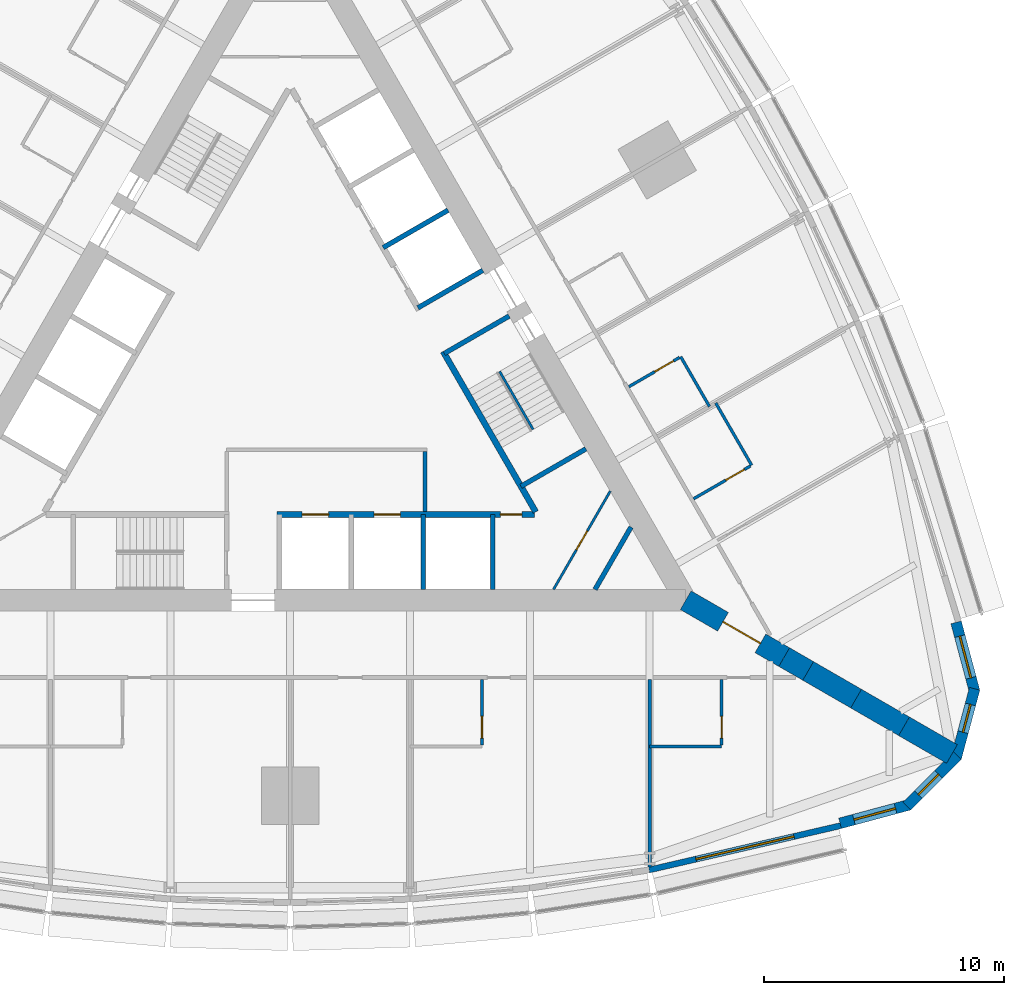
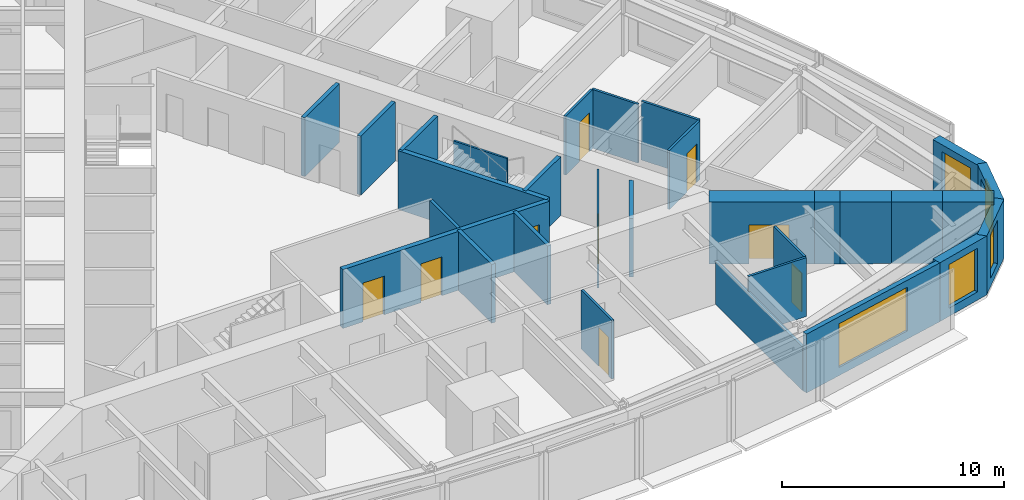
# One storey, part 10 of 14: 30 walls, 9 doors, 5 windows, 14 openings.
"""IFC4 building model written with IfcOpenShell, lengths in metres."""

from ifc_helpers import new_model, si_unit, direction, frame, frame_2d, origin, place, context, subcontext, project, spatial, polyline, rectangle, outline, extrude, material, layer, layer_set, type_object, element, fill, save


model = new_model("IFC4")

# Units and contexts
model_context = context("Model", 3, precision=1e-05, world=origin(), true_north=direction((0.0, 1.0)))
body_context = subcontext(model_context, "Body", "Model", "MODEL_VIEW")
ifc_project = project(units=[si_unit("LENGTHUNIT", "METRE"), si_unit("AREAUNIT", "SQUARE_METRE"), si_unit("VOLUMEUNIT", "CUBIC_METRE"), si_unit("PLANEANGLEUNIT", "RADIAN"), si_unit("MASSUNIT", "GRAM", prefix="KILO")], contexts=[model_context])

# Site, building, storey
site_placement = place(None, origin())
site = spatial("IfcSite", under=ifc_project, at=site_placement, CompositionType="ELEMENT")
building_placement = place(site_placement, origin())
building = spatial("IfcBuilding", under=site, at=building_placement, Name="Trikona Tower", CompositionType="ELEMENT")
storey_placement = place(building_placement, frame((0.0, 0.0, 48.89990234375)))
storey = spatial("IfcBuildingStorey", under=building, at=storey_placement, Name="L11", CompositionType="ELEMENT", Elevation=48.89990234375)

# Wall, opening, door
ifc_material_1 = material(Name="Metal stud and cement board", Category="gypsum")
ifc_layer_1 = layer(ifc_material_1, 0.1201171875)
ifc_layer_set_1 = layer_set([ifc_layer_1], Name="Bathroom wall 120")
wall_type_1 = type_object("IfcWallType", Name="Bathroom wall 120", PredefinedType="PLUMBINGWALL", material=ifc_layer_set_1)
wall_1_placement = place(storey_placement, frame((8.0, -12.826416015625, 0.0), z_axis=(0.0, 0.0, 1.0), x_axis=(0.0, -1.0, 0.0)))
wall_1 = element("IfcWall", 1, at=wall_1_placement, inside=storey, type_object=wall_type_1, Name="Bathroom wall 1103", PredefinedType="PLUMBINGWALL", context=body_context, shape_type="SweptSolid", body=[
    extrude(rectangle(XDim=2.739990234375, YDim=0.1201171875, at=frame_2d((1.3701171875, 0.0))), origin(), (0.0, 0.0, 1.0), 3.235107421875),
])
opening_1_placement = place(wall_1_placement, frame((1.550048828125, 0.0, 0.0)))
opening_1 = element("IfcOpeningElement", 2, at=opening_1_placement, cuts=wall_1, Name="Opening D2", PredefinedType="OPENING", context=body_context, shape_type="SweptSolid", body=[
    extrude(rectangle(XDim=0.89990234375, YDim=2.1298828125, at=frame_2d((0.449951171875, 1.06494140625))), frame((0.0, 0.070068359375, 0.0), z_axis=(0.0, -1.0, 0.0), x_axis=(1.0, 0.0, 0.0)), (0.0, 0.0, 1.0), 0.14013671875),
])
ifc_material_2 = material(Name="Steel door frame with solid-core timber leaf", Category="steel")
door_type_1 = type_object("IfcDoorType", Name="Bathroom door 900x2130", OperationType="SLIDING_TO_LEFT", PredefinedType="DOOR", material=ifc_material_2)
door_1_placement = place(opening_1_placement, origin())
door_1 = element("IfcDoor", 3, at=door_1_placement, inside=storey, type_object=door_type_1, Name="Bathroom door 1103", OperationType="SLIDING_TO_LEFT", OverallHeight=2.1298828125, OverallWidth=0.89990234375, PredefinedType="DOOR", context=body_context, shape_type="SweptSolid", body=[
    extrude(rectangle(XDim=0.89990234375, YDim=2.1298828125, at=frame_2d((0.449951171875, 1.06494140625))), frame((0.0, 0.02490234375, 0.0), z_axis=(0.0, -1.0, 0.0), x_axis=(1.0, 0.0, 0.0)), (0.0, 0.0, 1.0), 0.050048828125),
])
fill(opening_1, door_1)

# Wall
wall_2_placement = place(storey_placement, frame((15.0, -15.626220703125, 0.0), z_axis=(0.0, 0.0, 1.0), x_axis=(1.0, 0.0, 0.0)))
element("IfcWall", 4, at=wall_2_placement, inside=storey, type_object=wall_type_1, Name="Bathroom wall 1104", PredefinedType="PLUMBINGWALL", context=body_context, shape_type="SweptSolid", body=[
    extrude(rectangle(XDim=3.0, YDim=0.1201171875, at=frame_2d((1.5, 0.0))), origin(), (0.0, 0.0, 1.0), 3.235107421875),
])

# Wall, opening, door
wall_3_placement = place(storey_placement, frame((18.0, -12.826416015625, 0.0), z_axis=(0.0, 0.0, 1.0), x_axis=(0.0, -1.0, 0.0)))
wall_3 = element("IfcWall", 5, at=wall_3_placement, inside=storey, type_object=wall_type_1, Name="Bathroom wall 1104", PredefinedType="PLUMBINGWALL", context=body_context, shape_type="SweptSolid", body=[
    extrude(rectangle(XDim=2.739990234375, YDim=0.1201171875, at=frame_2d((1.3701171875, 0.0))), origin(), (0.0, 0.0, 1.0), 3.235107421875),
])
opening_2_placement = place(wall_3_placement, frame((1.550048828125, 0.0, 0.0)))
opening_2 = element("IfcOpeningElement", 6, at=opening_2_placement, cuts=wall_3, Name="Opening D2", PredefinedType="OPENING", context=body_context, shape_type="SweptSolid", body=[
    extrude(rectangle(XDim=0.89990234375, YDim=2.1298828125, at=frame_2d((0.449951171875, 1.06494140625))), frame((0.0, 0.070068359375, 0.0), z_axis=(0.0, -1.0, 0.0), x_axis=(1.0, 0.0, 0.0)), (0.0, 0.0, 1.0), 0.14013671875),
])
door_2_placement = place(opening_2_placement, origin())
door_2 = element("IfcDoor", 7, at=door_2_placement, inside=storey, type_object=door_type_1, Name="Bathroom door 1104", OperationType="SLIDING_TO_LEFT", OverallHeight=2.1298828125, OverallWidth=0.89990234375, PredefinedType="DOOR", context=body_context, shape_type="SweptSolid", body=[
    extrude(rectangle(XDim=0.89990234375, YDim=2.1298828125, at=frame_2d((0.449951171875, 1.06494140625))), frame((0.0, 0.02490234375, 0.0), z_axis=(0.0, -1.0, 0.0), x_axis=(1.0, 0.0, 0.0)), (0.0, 0.0, 1.0), 0.050048828125),
])
fill(opening_2, door_2)

# Wall
wall_4_placement = place(storey_placement, frame((19.25341796875, -3.895263671875, 0.0), z_axis=(0.0, 0.0, 1.0), x_axis=(-0.499990139034, 0.866031096941, 0.0)))
element("IfcWall", 8, at=wall_4_placement, inside=storey, type_object=wall_type_1, Name="Bathroom wall 1105.1", PredefinedType="PLUMBINGWALL", context=body_context, shape_type="SweptSolid", body=[
    extrude(rectangle(XDim=3.0, YDim=0.1201171875, at=frame_2d((1.5, 0.0))), origin(), (0.0, 0.0, 1.0), 3.235107421875),
])

# Wall, opening, door
wall_5_placement = place(storey_placement, frame((16.82861328125, -5.295166015625, 0.0), z_axis=(0.0, 0.0, 1.0), x_axis=(0.866035715982, 0.499982138324, 0.0)))
wall_5 = element("IfcWall", 9, at=wall_5_placement, inside=storey, type_object=wall_type_1, Name="Bathroom wall 1105.1", PredefinedType="PLUMBINGWALL", context=body_context, shape_type="SweptSolid", body=[
    extrude(rectangle(XDim=2.73974609375, YDim=0.1201171875, at=frame_2d((1.369873046875, 0.0))), origin(), (0.0, 0.0, 1.0), 3.235107421875),
])
opening_3_placement = place(wall_5_placement, frame((1.550048828125, 0.0, 0.0)))
opening_3 = element("IfcOpeningElement", 10, at=opening_3_placement, cuts=wall_5, Name="Opening D2", PredefinedType="OPENING", context=body_context, shape_type="SweptSolid", body=[
    extrude(rectangle(XDim=0.89990234375, YDim=2.1298828125, at=frame_2d((0.449951171875, 1.06494140625))), frame((0.0, 0.070068359375, 0.0), z_axis=(0.0, -1.0, 0.0), x_axis=(1.0, 0.0, 0.0)), (0.0, 0.0, 1.0), 0.14013671875),
])
door_3_placement = place(opening_3_placement, origin())
door_3 = element("IfcDoor", 11, at=door_3_placement, inside=storey, type_object=door_type_1, Name="Bathroom door 1105.1", OperationType="SLIDING_TO_LEFT", OverallHeight=2.1298828125, OverallWidth=0.89990234375, PredefinedType="DOOR", context=body_context, shape_type="SweptSolid", body=[
    extrude(rectangle(XDim=0.89990234375, YDim=2.1298828125, at=frame_2d((0.449951171875, 1.06494140625))), frame((0.0, 0.02490234375, 0.0), z_axis=(0.0, -1.0, 0.0), x_axis=(1.0, 0.0, 0.0)), (0.0, 0.0, 1.0), 0.050048828125),
])
fill(opening_3, door_3)

# Wall
wall_6_placement = place(storey_placement, frame((17.493408203125, -1.447021484375, 0.0), z_axis=(0.0, 0.0, 1.0), x_axis=(-0.500001309137, 0.866024647952, 0.0)))
element("IfcWall", 12, at=wall_6_placement, inside=storey, type_object=wall_type_1, Name="Bathroom wall 1106", PredefinedType="PLUMBINGWALL", context=body_context, shape_type="SweptSolid", body=[
    extrude(rectangle(XDim=2.39990234375, YDim=0.1201171875, at=frame_2d((1.199951171875, 0.0))), origin(), (0.0, 0.0, 1.0), 3.235107421875),
])

# Wall, opening, door
wall_7_placement = place(storey_placement, frame((14.12841796875, -0.61865234375, 0.0), z_axis=(0.0, 0.0, 1.0), x_axis=(0.866048967903, 0.499959183527, 0.0)))
wall_7 = element("IfcWall", 13, at=wall_7_placement, inside=storey, type_object=wall_type_1, Name="Bathroom wall 1106", PredefinedType="PLUMBINGWALL", context=body_context, shape_type="SweptSolid", body=[
    extrude(rectangle(XDim=2.440185546875, YDim=0.1201171875, at=frame_2d((1.22021484375, 0.0))), origin(), (0.0, 0.0, 1.0), 3.235107421875),
])
opening_4_placement = place(wall_7_placement, frame((1.25, 0.0, 0.0)))
opening_4 = element("IfcOpeningElement", 14, at=opening_4_placement, cuts=wall_7, Name="Opening D2", PredefinedType="OPENING", context=body_context, shape_type="SweptSolid", body=[
    extrude(rectangle(XDim=0.89990234375, YDim=2.1298828125, at=frame_2d((0.449951171875, 1.06494140625))), frame((0.0, 0.070068359375, 0.0), z_axis=(0.0, -1.0, 0.0), x_axis=(1.0, 0.0, 0.0)), (0.0, 0.0, 1.0), 0.14013671875),
])
door_4_placement = place(opening_4_placement, origin())
door_4 = element("IfcDoor", 15, at=door_4_placement, inside=storey, type_object=door_type_1, Name="Bathroom door 1106", OperationType="SLIDING_TO_LEFT", OverallHeight=2.1298828125, OverallWidth=0.89990234375, PredefinedType="DOOR", context=body_context, shape_type="SweptSolid", body=[
    extrude(rectangle(XDim=0.89990234375, YDim=2.1298828125, at=frame_2d((0.449951171875, 1.06494140625))), frame((0.0, 0.02490234375, 0.0), z_axis=(0.0, -1.0, 0.0), x_axis=(1.0, 0.0, 0.0)), (0.0, 0.0, 1.0), 0.050048828125),
])
fill(opening_4, door_4)

# Wall, opening, window
ifc_material_3 = material(Name="Brick-faced precast concrete", Category="masonry")
ifc_layer_2 = layer(ifc_material_3, 0.449951171875)
ifc_layer_set_2 = layer_set([ifc_layer_2], Name="Brick-faced corner wall 450")
wall_type_2 = type_object("IfcWallType", Name="Brick-faced corner wall 450", PredefinedType="SOLIDWALL", material=ifc_layer_set_2)
wall_8_placement = place(storey_placement, frame((22.94189453125, -18.835205078125, 0.0), z_axis=(0.0, 0.0, 1.0), x_axis=(0.965930548995, 0.258801419081, 0.0)))
wall_8 = element("IfcWall", 16, at=wall_8_placement, inside=storey, type_object=wall_type_2, Name="External wall L11-08", PredefinedType="SOLIDWALL", context=body_context, shape_type="SweptSolid", body=[
    extrude(rectangle(XDim=2.988525390625, YDim=0.449951171875, at=frame_2d((1.494140625, 0.0))), origin(), (0.0, 0.0, 1.0), 3.235107421875),
])
opening_5_placement = place(wall_8_placement, frame((0.59423828125, 0.0, 0.449951171875)))
opening_5 = element("IfcOpeningElement", 17, at=opening_5_placement, cuts=wall_8, Name="Opening W1824", PredefinedType="OPENING", context=body_context, shape_type="SweptSolid", body=[
    extrude(rectangle(XDim=1.800048828125, YDim=2.39990234375, at=frame_2d((0.89990234375, 1.199951171875))), frame((0.0, 0.23486328125, 0.0), z_axis=(0.0, -1.0, 0.0), x_axis=(1.0, 0.0, 0.0)), (0.0, 0.0, 1.0), 0.469970703125),
])
ifc_material_4 = material(Name="Aluminium-framed double glazing", Category="aluminium")
window_type_1 = type_object("IfcWindowType", Name="Window 1800x2400", PartitioningType="SINGLE_PANEL", PredefinedType="WINDOW", material=ifc_material_4)
window_1_placement = place(opening_5_placement, origin())
window_1 = element("IfcWindow", 18, at=window_1_placement, inside=storey, type_object=window_type_1, Name="Window 1104", OverallHeight=2.39990234375, OverallWidth=1.800048828125, PartitioningType="SINGLE_PANEL", PredefinedType="WINDOW", context=body_context, shape_type="SweptSolid", body=[
    extrude(rectangle(XDim=1.800048828125, YDim=2.39990234375, at=frame_2d((0.89990234375, 1.199951171875))), frame((0.0, 0.030029296875, 0.0), z_axis=(0.0, -1.0, 0.0), x_axis=(1.0, 0.0, 0.0)), (0.0, 0.0, 1.0), 0.06005859375),
])
fill(opening_5, window_1)

wall_9_placement = place(storey_placement, frame((25.727783203125, -18.1201171875, 0.0), z_axis=(0.0, 0.0, 1.0), x_axis=(0.707025086683, 0.707188466253, 0.0)))
wall_9 = element("IfcWall", 19, at=wall_9_placement, inside=storey, type_object=wall_type_2, Name="External wall L11-09", PredefinedType="SOLIDWALL", context=body_context, shape_type="SweptSolid", body=[
    extrude(outline(polyline([(2.988525390625, 0.22509765625), (2.929931640625, 0.22509765625), (2.4375, 0.093017578125), (2.402099609375, 0.22509765625), (0.0, 0.22509765625), (0.0, -0.22509765625), (2.988525390625, -0.22509765625), (2.988525390625, 0.22509765625)])), origin(), (0.0, 0.0, 1.0), 3.235107421875),
])
opening_6_placement = place(wall_9_placement, frame((0.676025390625, 0.0, 0.449951171875)))
opening_6 = element("IfcOpeningElement", 20, at=opening_6_placement, cuts=wall_9, Name="Opening W1224", PredefinedType="OPENING", context=body_context, shape_type="SweptSolid", body=[
    extrude(rectangle(XDim=1.199951171875, YDim=2.39990234375, at=frame_2d((0.60009765625, 1.199951171875))), frame((0.0, 0.23486328125, 0.0), z_axis=(0.0, -1.0, 0.0), x_axis=(1.0, 0.0, 0.0)), (0.0, 0.0, 1.0), 0.469970703125),
])
ifc_material_5 = material(Name="Aluminium-framed double glazing", Category="aluminium")
window_type_2 = type_object("IfcWindowType", Name="Window 1200x2400", PartitioningType="SINGLE_PANEL", PredefinedType="WINDOW", material=ifc_material_5)
window_2_placement = place(opening_6_placement, origin())
window_2 = element("IfcWindow", 21, at=window_2_placement, inside=storey, type_object=window_type_2, Name="Window 1104", OverallHeight=2.39990234375, OverallWidth=1.199951171875, PartitioningType="SINGLE_PANEL", PredefinedType="WINDOW", context=body_context, shape_type="SweptSolid", body=[
    extrude(rectangle(XDim=1.199951171875, YDim=2.39990234375, at=frame_2d((0.60009765625, 1.199951171875))), frame((0.0, 0.030029296875, 0.0), z_axis=(0.0, -1.0, 0.0), x_axis=(1.0, 0.0, 0.0)), (0.0, 0.0, 1.0), 0.06005859375),
])
fill(opening_6, window_2)

wall_10_placement = place(storey_placement, frame((27.78271484375, -16.107666015625, 0.0), z_axis=(0.0, 0.0, 1.0), x_axis=(0.258801419081, 0.965930548995, 0.0)))
wall_10 = element("IfcWall", 22, at=wall_10_placement, inside=storey, type_object=wall_type_2, Name="External wall L11-10", PredefinedType="SOLIDWALL", context=body_context, shape_type="SweptSolid", body=[
    extrude(outline(polyline([(2.988525390625, 0.22509765625), (0.58642578125, 0.22509765625), (0.55126953125, 0.09326171875), (0.0595703125, 0.22509765625), (0.0, 0.22509765625), (0.0, -0.22509765625), (2.988525390625, -0.22509765625), (2.988525390625, 0.22509765625)])), origin(), (0.0, 0.0, 1.0), 3.235107421875),
])
opening_7_placement = place(wall_10_placement, frame((1.112548828125, 0.0, 0.449951171875)))
opening_7 = element("IfcOpeningElement", 23, at=opening_7_placement, cuts=wall_10, Name="Opening W1224", PredefinedType="OPENING", context=body_context, shape_type="SweptSolid", body=[
    extrude(rectangle(XDim=1.199951171875, YDim=2.39990234375, at=frame_2d((0.60009765625, 1.199951171875))), frame((0.0, 0.23486328125, 0.0), z_axis=(0.0, -1.0, 0.0), x_axis=(1.0, 0.0, 0.0)), (0.0, 0.0, 1.0), 0.469970703125),
])
window_3_placement = place(opening_7_placement, origin())
window_3 = element("IfcWindow", 24, at=window_3_placement, inside=storey, type_object=window_type_2, Name="Window 1105", OverallHeight=2.39990234375, OverallWidth=1.199951171875, PartitioningType="SINGLE_PANEL", PredefinedType="WINDOW", context=body_context, shape_type="SweptSolid", body=[
    extrude(rectangle(XDim=1.199951171875, YDim=2.39990234375, at=frame_2d((0.60009765625, 1.199951171875))), frame((0.0, 0.030029296875, 0.0), z_axis=(0.0, -1.0, 0.0), x_axis=(1.0, 0.0, 0.0)), (0.0, 0.0, 1.0), 0.06005859375),
])
fill(opening_7, window_3)

wall_11_placement = place(storey_placement, frame((28.55615234375, -13.33740234375, 0.0), z_axis=(0.0, 0.0, 1.0), x_axis=(-0.258780998834, 0.965936019953, 0.0)))
wall_11 = element("IfcWall", 25, at=wall_11_placement, inside=storey, type_object=wall_type_2, Name="External wall L11-11", PredefinedType="SOLIDWALL", context=body_context, shape_type="SweptSolid", body=[
    extrude(rectangle(XDim=2.98876953125, YDim=0.449951171875, at=frame_2d((1.494384765625, 0.0))), origin(), (0.0, 0.0, 1.0), 3.235107421875),
])
opening_8_placement = place(wall_11_placement, frame((0.59423828125, 0.0, 0.449951171875)))
opening_8 = element("IfcOpeningElement", 26, at=opening_8_placement, cuts=wall_11, Name="Opening W1824", PredefinedType="OPENING", context=body_context, shape_type="SweptSolid", body=[
    extrude(rectangle(XDim=1.800048828125, YDim=2.39990234375, at=frame_2d((0.89990234375, 1.199951171875))), frame((0.0, 0.23486328125, 0.0), z_axis=(0.0, -1.0, 0.0), x_axis=(1.0, 0.0, 0.0)), (0.0, 0.0, 1.0), 0.469970703125),
])
window_4_placement = place(opening_8_placement, origin())
window_4 = element("IfcWindow", 27, at=window_4_placement, inside=storey, type_object=window_type_1, Name="Window 1105", OverallHeight=2.39990234375, OverallWidth=1.800048828125, PartitioningType="SINGLE_PANEL", PredefinedType="WINDOW", context=body_context, shape_type="SweptSolid", body=[
    extrude(rectangle(XDim=1.800048828125, YDim=2.39990234375, at=frame_2d((0.89990234375, 1.199951171875))), frame((0.0, 0.030029296875, 0.0), z_axis=(0.0, -1.0, 0.0), x_axis=(1.0, 0.0, 0.0)), (0.0, 0.0, 1.0), 0.06005859375),
])
fill(opening_8, window_4)

# Wall, opening, door
ifc_material_6 = material(Name="Concrete f'c 10000 psi", Category="concrete")
ifc_layer_3 = layer(ifc_material_6, 0.89990234375)
ifc_layer_set_3 = layer_set([ifc_layer_3], Name="Buttress wall 900")
wall_type_3 = type_object("IfcWallType", Name="Buttress wall 900", PredefinedType="SHEAR", material=ifc_layer_set_3)
wall_12_placement = place(storey_placement, frame((16.5, -9.5263671875, 0.0), z_axis=(0.0, 0.0, 1.0), x_axis=(0.866031398331, -0.499989616998, 0.0)))
wall_12 = element("IfcWall", 28, at=wall_12_placement, inside=storey, type_object=wall_type_3, Name="Buttress wall 1", PredefinedType="SHEAR", context=body_context, shape_type="SweptSolid", body=[
    extrude(rectangle(XDim=4.74609375, YDim=0.89990234375, at=frame_2d((2.373046875, 0.0))), origin(), (0.0, 0.0, 1.0), 3.400146484375),
])
opening_9_placement = place(wall_12_placement, frame((1.800048828125, 0.0, 0.0)))
opening_9 = element("IfcOpeningElement", 29, at=opening_9_placement, cuts=wall_12, Name="Opening D10", PredefinedType="OPENING", context=body_context, shape_type="SweptSolid", body=[
    extrude(rectangle(XDim=1.800048828125, YDim=2.1298828125, at=frame_2d((0.89990234375, 1.06494140625))), frame((0.0, 0.4599609375, 0.0), z_axis=(0.0, -1.0, 0.0), x_axis=(1.0, 0.0, 0.0)), (0.0, 0.0, 1.0), 0.919921875),
])
ifc_material_7 = material(Name="Hollow metal door and frame", Category="steel")
door_type_2 = type_object("IfcDoorType", Name="Cross-corridor door pair 1800x2130", OperationType="DOUBLE_DOOR_DOUBLE_SWING", PredefinedType="DOOR", material=ifc_material_7)
door_5_placement = place(opening_9_placement, origin())
door_5 = element("IfcDoor", 30, at=door_5_placement, inside=storey, type_object=door_type_2, Name="Cross-corridor door 1", OperationType="DOUBLE_DOOR_DOUBLE_SWING", OverallHeight=2.1298828125, OverallWidth=1.800048828125, PredefinedType="DOOR", context=body_context, shape_type="SweptSolid", body=[
    extrude(rectangle(XDim=1.800048828125, YDim=2.1298828125, at=frame_2d((0.89990234375, 1.06494140625))), frame((0.0, 0.02490234375, 0.0), z_axis=(0.0, -1.0, 0.0), x_axis=(1.0, 0.0, 0.0)), (0.0, 0.0, 1.0), 0.050048828125),
])
fill(opening_9, door_5)

# Walls
wall_13_placement = place(storey_placement, frame((20.6103515625, -11.8994140625, 0.0), z_axis=(0.0, 0.0, 1.0), x_axis=(0.866009537788, -0.500027479704, 0.0)))
element("IfcWall", 31, at=wall_13_placement, inside=storey, type_object=wall_type_3, Name="Buttress wall 1 part 2", PredefinedType="SHEAR", context=body_context, shape_type="SweptSolid", body=[
    extrude(rectangle(XDim=1.15478515625, YDim=0.89990234375, at=frame_2d((0.577392578125, 0.0))), origin(), (0.0, 0.0, 1.0), 3.400146484375),
])
for number, where, z_axis, x_axis, name in (
    (32, (21.6103515625, -12.476806640625, 0.0), (0.0, 0.0, 1.0), (0.866055313784, -0.499948190782, 0.0), "Buttress wall 1 part 3"),
    (33, (23.6103515625, -13.63134765625, 0.0), (0.0, 0.0, 1.0), (0.866009537788, -0.500027479704, 0.0), "Buttress wall 1 part 4"),
    (34, (25.6103515625, -14.7861328125, 0.0), (0.0, 0.0, 1.0), (0.866009537788, -0.500027479704, 0.0), "Buttress wall 1 part 5"),
):
    element("IfcWall", number, at=place(storey_placement, frame(where, z_axis=z_axis, x_axis=x_axis)), inside=storey, type_object=wall_type_3, Name=name, PredefinedType="SHEAR", context=body_context, shape_type="SweptSolid", body=[
        extrude(rectangle(XDim=2.309326171875, YDim=0.89990234375, at=frame_2d((1.15478515625, 0.0))), origin(), (0.0, 0.0, 1.0), 3.400146484375),
    ])

# Wall, openings, doors
ifc_material_8 = material(Name="Concrete f'c 8000 psi", Category="concrete")
ifc_layer_4 = layer(ifc_material_8, 0.25)
ifc_layer_set_4 = layer_set([ifc_layer_4], Name="Hub wall 250")
wall_type_4 = type_object("IfcWallType", Name="Hub wall 250", PredefinedType="SOLIDWALL", material=ifc_layer_set_4)
wall_14_placement = place(storey_placement, frame((-0.550048828125, -5.951416015625, 0.0), z_axis=(0.0, 0.0, 1.0), x_axis=(1.0, 0.0, 0.0)))
wall_14 = element("IfcWall", 35, at=wall_14_placement, inside=storey, type_object=wall_type_4, Name="Lift lobby wall A2", PredefinedType="SOLIDWALL", context=body_context, shape_type="SweptSolid", body=[
    extrude(rectangle(XDim=10.73291015625, YDim=0.25, at=frame_2d((5.366455078125, 0.0))), origin(), (0.0, 0.0, 1.0), 3.235107421875),
])
opening_10_placement = place(wall_14_placement, frame((9.31396484375, 0.0, 0.0)))
opening_10 = element("IfcOpeningElement", 36, at=opening_10_placement, cuts=wall_14, Name="Opening D14", PredefinedType="OPENING", context=body_context, shape_type="SweptSolid", body=[
    extrude(rectangle(XDim=0.89990234375, YDim=2.1298828125, at=frame_2d((0.449951171875, 1.06494140625))), frame((0.0, 0.135009765625, 0.0), z_axis=(0.0, -1.0, 0.0), x_axis=(1.0, 0.0, 0.0)), (0.0, 0.0, 1.0), 0.27001953125),
])
opening_11_placement = place(wall_14_placement, frame((1.050048828125, 0.0, 0.0)))
opening_11 = element("IfcOpeningElement", 37, at=opening_11_placement, cuts=wall_14, Name="Opening LD", PredefinedType="OPENING", context=body_context, shape_type="SweptSolid", body=[
    extrude(rectangle(XDim=1.10009765625, YDim=2.1298828125, at=frame_2d((0.550048828125, 1.06494140625))), frame((0.0, 0.135009765625, 0.0), z_axis=(0.0, -1.0, 0.0), x_axis=(1.0, 0.0, 0.0)), (0.0, 0.0, 1.0), 0.27001953125),
])
opening_12_placement = place(wall_14_placement, frame((4.050048828125, 0.0, 0.0)))
opening_12 = element("IfcOpeningElement", 38, at=opening_12_placement, cuts=wall_14, Name="Opening LD", PredefinedType="OPENING", context=body_context, shape_type="SweptSolid", body=[
    extrude(rectangle(XDim=1.10009765625, YDim=2.1298828125, at=frame_2d((0.550048828125, 1.06494140625))), frame((0.0, 0.135009765625, 0.0), z_axis=(0.0, -1.0, 0.0), x_axis=(1.0, 0.0, 0.0)), (0.0, 0.0, 1.0), 0.27001953125),
])
ifc_material_9 = material(Name="Stainless steel lift landing door", Category="steel")
door_type_3 = type_object("IfcDoorType", Name="Lift landing door 1100x2130", OperationType="DOUBLE_DOOR_SLIDING", PredefinedType="USERDEFINED", material=ifc_material_9)
door_6_placement = place(opening_11_placement, origin())
door_6 = element("IfcDoor", 39, at=door_6_placement, inside=storey, type_object=door_type_3, Name="Lift landing door FF1", ObjectType="LIFT LANDING DOOR", OperationType="DOUBLE_DOOR_SLIDING", OverallHeight=2.1298828125, OverallWidth=1.10009765625, PredefinedType="USERDEFINED", context=body_context, shape_type="SweptSolid", body=[
    extrude(rectangle(XDim=1.10009765625, YDim=2.1298828125, at=frame_2d((0.550048828125, 1.06494140625))), frame((0.0, 0.02490234375, 0.0), z_axis=(0.0, -1.0, 0.0), x_axis=(1.0, 0.0, 0.0)), (0.0, 0.0, 1.0), 0.050048828125),
])
fill(opening_11, door_6)
door_7_placement = place(opening_12_placement, origin())
door_7 = element("IfcDoor", 40, at=door_7_placement, inside=storey, type_object=door_type_3, Name="Lift landing door FF2", ObjectType="LIFT LANDING DOOR", OperationType="DOUBLE_DOOR_SLIDING", OverallHeight=2.1298828125, OverallWidth=1.10009765625, PredefinedType="USERDEFINED", context=body_context, shape_type="SweptSolid", body=[
    extrude(rectangle(XDim=1.10009765625, YDim=2.1298828125, at=frame_2d((0.550048828125, 1.06494140625))), frame((0.0, 0.02490234375, 0.0), z_axis=(0.0, -1.0, 0.0), x_axis=(1.0, 0.0, 0.0)), (0.0, 0.0, 1.0), 0.050048828125),
])
fill(opening_12, door_7)
ifc_material_10 = material(Name="Hollow metal door and frame", Category="steel")
door_type_4 = type_object("IfcDoorType", Name="Service room door 900x2130", OperationType="SINGLE_SWING_LEFT", PredefinedType="DOOR", material=ifc_material_10)
door_8_placement = place(opening_10_placement, origin())
door_8 = element("IfcDoor", 41, at=door_8_placement, inside=storey, type_object=door_type_4, Name="Door Ice and vending ICE", OperationType="SINGLE_SWING_RIGHT", OverallHeight=2.1298828125, OverallWidth=0.89990234375, PredefinedType="DOOR", context=body_context, shape_type="SweptSolid", body=[
    extrude(rectangle(XDim=0.89990234375, YDim=2.1298828125, at=frame_2d((0.449951171875, 1.06494140625))), frame((0.0, 0.02490234375, 0.0), z_axis=(0.0, -1.0, 0.0), x_axis=(1.0, 0.0, 0.0)), (0.0, 0.0, 1.0), 0.050048828125),
])
fill(opening_10, door_8)

# Wall
wall_15_placement = place(storey_placement, frame((10.245361328125, -5.843017578125, 0.0), z_axis=(0.0, 0.0, 1.0), x_axis=(-0.499993009313, 0.866029439822, 0.0)))
element("IfcWall", 42, at=wall_15_placement, inside=storey, type_object=wall_type_4, Name="Lift lobby wall B1", PredefinedType="SOLIDWALL", context=body_context, shape_type="SweptSolid", body=[
    extrude(rectangle(XDim=7.73291015625, YDim=0.25, at=frame_2d((3.866455078125, 0.0))), origin(), (0.0, 0.0, 1.0), 3.235107421875),
])

# Wall, opening, window
ifc_material_11 = material(Name="Insulated precast concrete spandrel panel", Category="concrete")
ifc_layer_5 = layer(ifc_material_11, 0.25)
ifc_layer_set_5 = layer_set([ifc_layer_5], Name="Inner skin wall 250")
wall_type_5 = type_object("IfcWallType", Name="Inner skin wall 250", PredefinedType="STANDARD", material=ifc_layer_set_5)
wall_16_placement = place(storey_placement, frame((14.9716796875, -20.78125, 0.0), z_axis=(0.0, 0.0, 1.0), x_axis=(0.974279327392, 0.225343720163, 0.0)))
wall_16 = element("IfcWall", 43, at=wall_16_placement, inside=storey, type_object=wall_type_5, Name="External wall L11-07", PredefinedType="STANDARD", context=body_context, shape_type="SweptSolid", body=[
    extrude(rectangle(XDim=8.211181640625, YDim=0.25, at=frame_2d((4.10546875, 0.0))), origin(), (0.0, 0.0, 1.0), 3.235107421875),
])
opening_13_placement = place(wall_16_placement, frame((2.005615234375, 0.0, 0.449951171875)))
opening_13 = element("IfcOpeningElement", 44, at=opening_13_placement, cuts=wall_16, Name="Opening W4224", PredefinedType="OPENING", context=body_context, shape_type="SweptSolid", body=[
    extrude(rectangle(XDim=4.199951171875, YDim=2.39990234375, at=frame_2d((2.10009765625, 1.199951171875))), frame((0.0, 0.135009765625, 0.0), z_axis=(0.0, -1.0, 0.0), x_axis=(1.0, 0.0, 0.0)), (0.0, 0.0, 1.0), 0.27001953125),
])
ifc_material_12 = material(Name="Aluminium-framed double glazing", Category="aluminium")
window_type_3 = type_object("IfcWindowType", Name="Window 4200x2400", PartitioningType="SINGLE_PANEL", PredefinedType="WINDOW", material=ifc_material_12)
window_5_placement = place(opening_13_placement, origin())
window_5 = element("IfcWindow", 45, at=window_5_placement, inside=storey, type_object=window_type_3, Name="Window 1104", OverallHeight=2.39990234375, OverallWidth=4.199951171875, PartitioningType="SINGLE_PANEL", PredefinedType="WINDOW", context=body_context, shape_type="SweptSolid", body=[
    extrude(rectangle(XDim=4.199951171875, YDim=2.39990234375, at=frame_2d((2.10009765625, 1.199951171875))), frame((0.0, 0.030029296875, 0.0), z_axis=(0.0, -1.0, 0.0), x_axis=(1.0, 0.0, 0.0)), (0.0, 0.0, 1.0), 0.06005859375),
])
fill(opening_13, window_5)

# Walls
ifc_material_13 = material(Name="Metal stud and gypsum board, 2-hour shaft wall", Category="gypsum")
ifc_layer_6 = layer(ifc_material_13, 0.14990234375)
ifc_layer_set_6 = layer_set([ifc_layer_6], Name="Lobby wall 150")
wall_type_6 = type_object("IfcWallType", Name="Lobby wall 150", PredefinedType="PARTITIONING", material=ifc_layer_set_6)
wall_17_placement = place(storey_placement, frame((5.625, -5.826416015625, 0.0), z_axis=(0.0, 0.0, 1.0), x_axis=(0.0, 1.0, 0.0)))
element("IfcWall", 46, at=wall_17_placement, inside=storey, type_object=wall_type_6, Name="Fire service lift lobby wall 3", PredefinedType="PARTITIONING", context=body_context, shape_type="SweptSolid", body=[
    extrude(rectangle(XDim=2.5, YDim=0.14990234375, at=frame_2d((1.25, 0.0))), origin(), (0.0, 0.0, 1.0), 3.235107421875),
])
ifc_material_14 = material(Name="Metal stud and gypsum board, 1-hour acoustic", Category="gypsum")
ifc_layer_7 = layer(ifc_material_14, 0.14990234375)
ifc_layer_set_7 = layer_set([ifc_layer_7], Name="Party wall 150")
wall_type_7 = type_object("IfcWallType", Name="Party wall 150", PredefinedType="PARTITIONING", material=ifc_layer_set_7)
wall_18_placement = place(storey_placement, frame((15.0, -12.826416015625, 0.0), z_axis=(0.0, 0.0, 1.0), x_axis=(0.0, -1.0, 0.0)))
element("IfcWall", 47, at=wall_18_placement, inside=storey, type_object=wall_type_7, Name="Partition L11 F1 u15", PredefinedType="PARTITIONING", context=body_context, shape_type="SweptSolid", body=[
    extrude(rectangle(XDim=7.820068359375, YDim=0.14990234375, at=frame_2d((3.91015625, 0.0))), origin(), (0.0, 0.0, 1.0), 2.389404296875),
])
ifc_material_15 = material(Name="Concrete f'c 8000 psi", Category="concrete")
ifc_layer_8 = layer(ifc_material_15, 0.199951171875)
ifc_layer_set_8 = layer_set([ifc_layer_8], Name="Shaft wall 200")
wall_type_8 = type_object("IfcWallType", Name="Shaft wall 200", PredefinedType="SOLIDWALL", material=ifc_layer_set_8)
for number, where, z_axis, x_axis, name in (
    (48, (5.550048828125, -5.951416015625, 0.0), (0.0, 0.0, 1.0), (0.0, -1.0, 0.0), "Shaft wall A5"),
    (49, (8.449951171875, -5.951416015625, 0.0), (0.0, 0.0, 1.0), (0.0, -1.0, 0.0), "Shaft wall A6"),
    (50, (5.3291015625, 2.672607421875, 0.0), (0.0, 0.0, 1.0), (0.866022959057, 0.500004234368, 0.0), "Shaft wall B3"),
    (51, (3.87890625, 5.18408203125, 0.0), (0.0, 0.0, 1.0), (0.866022959057, 0.500004234368, 0.0), "Shaft wall B4"),
):
    element("IfcWall", number, at=place(storey_placement, frame(where, z_axis=z_axis, x_axis=x_axis)), inside=storey, type_object=wall_type_8, Name=name, PredefinedType="SOLIDWALL", context=body_context, shape_type="SweptSolid", body=[
        extrude(rectangle(XDim=3.125, YDim=0.199951171875, at=frame_2d((1.5625, 0.0))), origin(), (0.0, 0.0, 1.0), 3.235107421875),
    ])
wall_19_placement = place(storey_placement, frame((14.219482421875, -6.476318359375, 0.0), z_axis=(0.0, 0.0, 1.0), x_axis=(-0.499952404951, -0.866052881055, 0.0)))
element("IfcWall", 52, at=wall_19_placement, inside=storey, type_object=wall_type_8, Name="Riser wall L11-RS1", PredefinedType="SOLIDWALL", context=body_context, shape_type="SweptSolid", body=[
    extrude(rectangle(XDim=3.002197265625, YDim=0.199951171875, at=frame_2d((1.5009765625, 0.0))), origin(), (0.0, 0.0, 1.0), 3.235107421875),
])
ifc_material_16 = material(Name="Concrete f'c 8000 psi", Category="concrete")
ifc_layer_9 = layer(ifc_material_16, 0.199951171875)
ifc_layer_set_9 = layer_set([ifc_layer_9], Name="Shaft wall 200 load-bearing")
wall_type_9 = type_object("IfcWallType", Name="Shaft wall 200 load-bearing", PredefinedType="SOLIDWALL", material=ifc_layer_set_9)
for number, where, z_axis, x_axis, name in (
    (53, (9.62890625, -4.775390625, 0.0), (0.0, 0.0, 1.0), (0.866022959057, 0.500004234368, 0.0), "Shaft wall B1"),
    (54, (6.428955078125, 0.767333984375, 0.0), (0.0, 0.0, 1.0), (0.866022959057, 0.500004234368, 0.0), "Shaft wall B2"),
):
    element("IfcWall", number, at=place(storey_placement, frame(where, z_axis=z_axis, x_axis=x_axis)), inside=storey, type_object=wall_type_9, Name=name, PredefinedType="SOLIDWALL", context=body_context, shape_type="SweptSolid", body=[
        extrude(rectangle(XDim=3.125, YDim=0.199951171875, at=frame_2d((1.5625, 0.0))), origin(), (0.0, 0.0, 1.0), 3.235107421875),
    ])
ifc_material_17 = material(Name="Concrete f'c 5000 psi", Category="concrete")
ifc_layer_10 = layer(ifc_material_17, 0.10009765625)
ifc_layer_set_10 = layer_set([ifc_layer_10], Name="Stair spine wall 100")
wall_type_10 = type_object("IfcWallType", Name="Stair spine wall 100", PredefinedType="SOLIDWALL", material=ifc_layer_set_10)
wall_20_placement = place(storey_placement, frame((10.134765625, -2.4013671875, 0.0), z_axis=(0.0, 0.0, 1.0), x_axis=(-0.499992232847, 0.866029888106, 0.0)))
element("IfcWall", 55, at=wall_20_placement, inside=storey, type_object=wall_type_10, Name="Stair B spine wall L11", PredefinedType="SOLIDWALL", context=body_context, shape_type="SweptSolid", body=[
    extrude(rectangle(XDim=2.7939453125, YDim=0.10009765625, at=frame_2d((1.39697265625, 0.0))), origin(), (0.0, 0.0, 1.0), 3.400146484375),
])

# Wall, opening, door
ifc_material_18 = material(Name="Metal stud and gypsum board, acoustic", Category="gypsum")
ifc_layer_11 = layer(ifc_material_18, 0.10009765625)
ifc_layer_set_11 = layer_set([ifc_layer_11], Name="Suite partition 100")
wall_type_11 = type_object("IfcWallType", Name="Suite partition 100", PredefinedType="PARTITIONING", material=ifc_layer_set_11)
wall_21_placement = place(storey_placement, frame((13.353515625, -4.976318359375, 0.0), z_axis=(0.0, 0.0, 1.0), x_axis=(-0.499999210213, -0.866025859768, 0.0)))
wall_21 = element("IfcWall", 56, at=wall_21_placement, inside=storey, type_object=wall_type_11, Name="Store partition L11-RS1", PredefinedType="PARTITIONING", context=body_context, shape_type="SweptSolid", body=[
    extrude(rectangle(XDim=4.734375, YDim=0.10009765625, at=frame_2d((2.3671875, 0.0))), origin(), (0.0, 0.0, 1.0), 3.235107421875),
])
opening_14_placement = place(wall_21_placement, frame((1.917236328125, 0.0, 0.0)))
opening_14 = element("IfcOpeningElement", 57, at=opening_14_placement, cuts=wall_21, Name="Opening D15", PredefinedType="OPENING", context=body_context, shape_type="SweptSolid", body=[
    extrude(rectangle(XDim=0.89990234375, YDim=2.1298828125, at=frame_2d((0.449951171875, 1.06494140625))), frame((0.0, 0.06005859375, 0.0), z_axis=(0.0, -1.0, 0.0), x_axis=(1.0, 0.0, 0.0)), (0.0, 0.0, 1.0), 0.1201171875),
])
ifc_material_19 = material(Name="Steel door frame with solid-core timber leaf", Category="steel")
door_type_5 = type_object("IfcDoorType", Name="Store door 900x2130", OperationType="SINGLE_SWING_LEFT", PredefinedType="DOOR", material=ifc_material_19)
door_9_placement = place(opening_14_placement, origin())
door_9 = element("IfcDoor", 58, at=door_9_placement, inside=storey, type_object=door_type_5, Name="Door Amenity store AMS", OperationType="SINGLE_SWING_RIGHT", OverallHeight=2.1298828125, OverallWidth=0.89990234375, PredefinedType="DOOR", context=body_context, shape_type="SweptSolid", body=[
    extrude(rectangle(XDim=0.89990234375, YDim=2.1298828125, at=frame_2d((0.449951171875, 1.06494140625))), frame((0.0, 0.02490234375, 0.0), z_axis=(0.0, -1.0, 0.0), x_axis=(1.0, 0.0, 0.0)), (0.0, 0.0, 1.0), 0.050048828125),
])
fill(opening_14, door_9)

save(model, "model.ifc")
